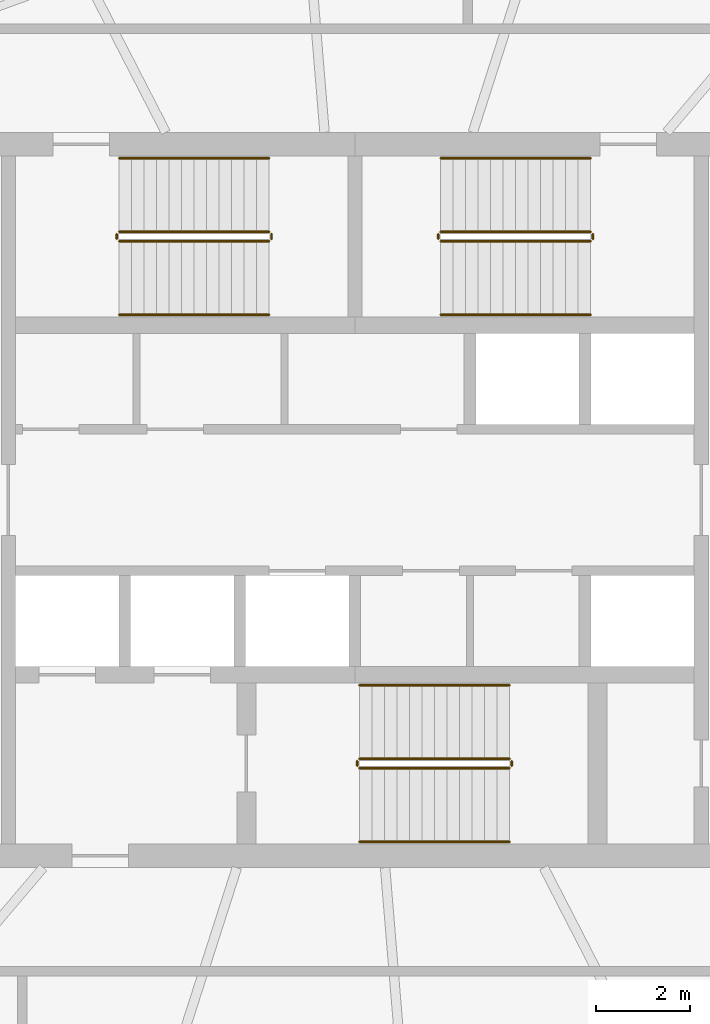
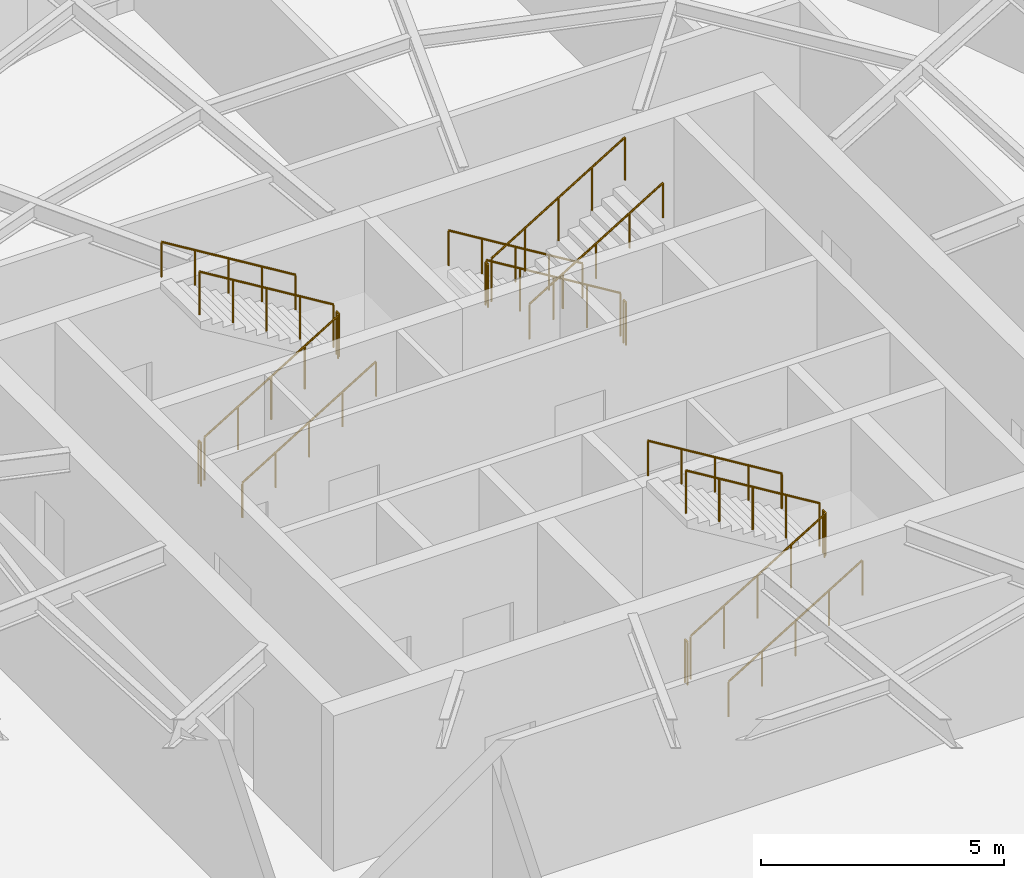
# One storey, part 6 of 6: 18 railings.
"""IFC4 building model written with IfcOpenShell, lengths in metres."""

from ifc_helpers import new_model, si_unit, direction, frame, origin, origin_2d, place, context, subcontext, project, spatial, circle, extrude, material, type_object, element, save


model = new_model("IFC4")

# Units and contexts
model_context = context("Model", 3, precision=1e-05, world=origin(), true_north=direction((0.0, 1.0)))
body_context = subcontext(model_context, "Body", "Model", "MODEL_VIEW")
ifc_project = project(units=[si_unit("LENGTHUNIT", "METRE"), si_unit("AREAUNIT", "SQUARE_METRE"), si_unit("VOLUMEUNIT", "CUBIC_METRE"), si_unit("PLANEANGLEUNIT", "RADIAN"), si_unit("MASSUNIT", "GRAM", prefix="KILO")], contexts=[model_context])

# Site, building, storey
site_placement = place(None, origin())
site = spatial("IfcSite", under=ifc_project, at=site_placement, CompositionType="ELEMENT")
building_placement = place(site_placement, origin())
building = spatial("IfcBuilding", under=site, at=building_placement, Name="Vermilion Reach Broadcast Tower", CompositionType="ELEMENT")
storey_placement = place(building_placement, frame((0.0, 0.0, 304.5)))
storey = spatial("IfcBuildingStorey", under=building, at=storey_placement, Name="L76 CROWN", CompositionType="ELEMENT", Elevation=304.5)

# Railings
ifc_material_1 = material(Name="Stainless steel", Category="steel")
railing_type_1 = type_object("IfcRailingType", Name="Stair guard 1100", PredefinedType="GUARDRAIL", material=ifc_material_1)
railing_1_placement = place(storey_placement, frame((-11.0, 5.489990234375, 0.16162109375)))
element("IfcRailing", 1, at=railing_1_placement, inside=storey, type_object=railing_type_1, Name="L76 CROWN ST1 stair guard 1", PredefinedType="GUARDRAIL", context=body_context, shape_type="SweptSolid", body=[
    extrude(circle(Radius=0.02392578125, at=origin_2d()), frame((0.0, 0.0, 1.076171875), z_axis=(0.853856579767, 0.0, 0.520508348818), x_axis=(0.0, 1.0, 0.0)), (0.0, 0.0, 1.0), 3.72412109375),
    extrude(circle(Radius=0.02099609375, at=origin_2d()), origin(), (0.0, 0.0, 1.0), 1.052001953125),
    extrude(circle(Radius=0.02099609375, at=origin_2d()), frame((0.794921875, 0.0, 0.484619140625)), (0.0, 0.0, 1.0), 1.052001953125),
    extrude(circle(Radius=0.02099609375, at=origin_2d()), frame((1.58984375, 0.0, 0.96923828125)), (0.0, 0.0, 1.0), 1.052001953125),
    extrude(circle(Radius=0.02099609375, at=origin_2d()), frame((2.385009765625, 0.0, 1.453857421875)), (0.0, 0.0, 1.0), 1.052001953125),
    extrude(circle(Radius=0.02099609375, at=origin_2d()), frame((3.179931640625, 0.0, 1.9384765625)), (0.0, 0.0, 1.0), 1.052001953125),
])
railing_2_placement = place(storey_placement, frame((-7.77001953125, 5.5400390625, 2.10009765625)))
element("IfcRailing", 2, at=railing_2_placement, inside=storey, type_object=railing_type_1, Name="L76 CROWN ST1 stair guard 2", PredefinedType="GUARDRAIL", context=body_context, shape_type="SweptSolid", body=[
    extrude(circle(Radius=0.02392578125, at=origin_2d()), frame((0.0, 0.0, 1.076171875), z_axis=(0.0, 1.0, 0.0), x_axis=(-1.0, 0.0, 0.0)), (0.0, 0.0, 1.0), 0.099853515625),
    extrude(circle(Radius=0.02099609375, at=origin_2d()), origin(), (0.0, 0.0, 1.0), 1.052001953125),
    extrude(circle(Radius=0.02099609375, at=origin_2d()), frame((0.0, 0.099853515625, 0.0)), (0.0, 0.0, 1.0), 1.052001953125),
])
railing_3_placement = place(storey_placement, frame((-7.820068359375, 5.68994140625, 2.261474609375)))
element("IfcRailing", 3, at=railing_3_placement, inside=storey, type_object=railing_type_1, Name="L76 CROWN ST1 stair guard 3", PredefinedType="GUARDRAIL", context=body_context, shape_type="SweptSolid", body=[
    extrude(circle(Radius=0.02392578125, at=origin_2d()), frame((0.0, 0.0, 1.076171875), z_axis=(-0.853856579767, 0.0, 0.520508348818), x_axis=(0.0, -1.0, 0.0)), (0.0, 0.0, 1.0), 3.72412109375),
    extrude(circle(Radius=0.02099609375, at=origin_2d()), origin(), (0.0, 0.0, 1.0), 1.052001953125),
    extrude(circle(Radius=0.02099609375, at=origin_2d()), frame((-0.794921875, 0.0, 0.484619140625)), (0.0, 0.0, 1.0), 1.052001953125),
    extrude(circle(Radius=0.02099609375, at=origin_2d()), frame((-1.58984375, 0.0, 0.96923828125)), (0.0, 0.0, 1.0), 1.052001953125),
    extrude(circle(Radius=0.02099609375, at=origin_2d()), frame((-2.385009765625, 0.0, 1.453857421875)), (0.0, 0.0, 1.0), 1.052001953125),
    extrude(circle(Radius=0.02099609375, at=origin_2d()), frame((-3.179931640625, 0.0, 1.9384765625)), (0.0, 0.0, 1.0), 1.052001953125),
])
railing_4_placement = place(storey_placement, frame((-11.050048828125, 5.5400390625, 0.0)))
element("IfcRailing", 4, at=railing_4_placement, inside=storey, type_object=railing_type_1, Name="L76 CROWN ST1 stair guard 4", PredefinedType="GUARDRAIL", context=body_context, shape_type="SweptSolid", body=[
    extrude(circle(Radius=0.02392578125, at=origin_2d()), frame((0.0, 0.0, 1.076171875), z_axis=(0.0, 1.0, 0.0), x_axis=(-1.0, 0.0, 0.0)), (0.0, 0.0, 1.0), 0.099853515625),
    extrude(circle(Radius=0.02099609375, at=origin_2d()), origin(), (0.0, 0.0, 1.0), 1.052001953125),
    extrude(circle(Radius=0.02099609375, at=origin_2d()), frame((0.0, 0.099853515625, 0.0)), (0.0, 0.0, 1.0), 1.052001953125),
])
railing_5_placement = place(storey_placement, frame((-1.0, 5.68994140625, 0.16162109375)))
element("IfcRailing", 5, at=railing_5_placement, inside=storey, type_object=railing_type_1, Name="L76 CROWN ST2 stair guard 1", PredefinedType="GUARDRAIL", context=body_context, shape_type="SweptSolid", body=[
    extrude(circle(Radius=0.02392578125, at=origin_2d()), frame((0.0, 0.0, 1.076171875), z_axis=(-0.853856579767, 0.0, 0.520508348818), x_axis=(0.0, -1.0, 0.0)), (0.0, 0.0, 1.0), 3.72412109375),
    extrude(circle(Radius=0.02099609375, at=origin_2d()), origin(), (0.0, 0.0, 1.0), 1.052001953125),
    extrude(circle(Radius=0.02099609375, at=origin_2d()), frame((-0.794921875, 0.0, 0.484619140625)), (0.0, 0.0, 1.0), 1.052001953125),
    extrude(circle(Radius=0.02099609375, at=origin_2d()), frame((-1.58984375, 0.0, 0.96923828125)), (0.0, 0.0, 1.0), 1.052001953125),
    extrude(circle(Radius=0.02099609375, at=origin_2d()), frame((-2.385009765625, 0.0, 1.453857421875)), (0.0, 0.0, 1.0), 1.052001953125),
    extrude(circle(Radius=0.02099609375, at=origin_2d()), frame((-3.179931640625, 0.0, 1.9384765625)), (0.0, 0.0, 1.0), 1.052001953125),
])
railing_6_placement = place(storey_placement, frame((-4.22998046875, 5.639892578125, 2.10009765625)))
element("IfcRailing", 6, at=railing_6_placement, inside=storey, type_object=railing_type_1, Name="L76 CROWN ST2 stair guard 2", PredefinedType="GUARDRAIL", context=body_context, shape_type="SweptSolid", body=[
    extrude(circle(Radius=0.02392578125, at=origin_2d()), frame((0.0, 0.0, 1.076171875), z_axis=(0.0, -1.0, 0.0), x_axis=(1.0, 0.0, 0.0)), (0.0, 0.0, 1.0), 0.099853515625),
    extrude(circle(Radius=0.02099609375, at=origin_2d()), origin(), (0.0, 0.0, 1.0), 1.052001953125),
    extrude(circle(Radius=0.02099609375, at=origin_2d()), frame((0.0, -0.099853515625, 0.0)), (0.0, 0.0, 1.0), 1.052001953125),
])
railing_7_placement = place(storey_placement, frame((-4.179931640625, 5.489990234375, 2.261474609375)))
element("IfcRailing", 7, at=railing_7_placement, inside=storey, type_object=railing_type_1, Name="L76 CROWN ST2 stair guard 3", PredefinedType="GUARDRAIL", context=body_context, shape_type="SweptSolid", body=[
    extrude(circle(Radius=0.02392578125, at=origin_2d()), frame((0.0, 0.0, 1.076171875), z_axis=(0.853856579767, 0.0, 0.520508348818), x_axis=(0.0, 1.0, 0.0)), (0.0, 0.0, 1.0), 3.72412109375),
    extrude(circle(Radius=0.02099609375, at=origin_2d()), origin(), (0.0, 0.0, 1.0), 1.052001953125),
    extrude(circle(Radius=0.02099609375, at=origin_2d()), frame((0.794921875, 0.0, 0.484619140625)), (0.0, 0.0, 1.0), 1.052001953125),
    extrude(circle(Radius=0.02099609375, at=origin_2d()), frame((1.58984375, 0.0, 0.96923828125)), (0.0, 0.0, 1.0), 1.052001953125),
    extrude(circle(Radius=0.02099609375, at=origin_2d()), frame((2.385009765625, 0.0, 1.453857421875)), (0.0, 0.0, 1.0), 1.052001953125),
    extrude(circle(Radius=0.02099609375, at=origin_2d()), frame((3.179931640625, 0.0, 1.9384765625)), (0.0, 0.0, 1.0), 1.052001953125),
])
railing_8_placement = place(storey_placement, frame((-0.949951171875, 5.639892578125, 0.0)))
element("IfcRailing", 8, at=railing_8_placement, inside=storey, type_object=railing_type_1, Name="L76 CROWN ST2 stair guard 4", PredefinedType="GUARDRAIL", context=body_context, shape_type="SweptSolid", body=[
    extrude(circle(Radius=0.02392578125, at=origin_2d()), frame((0.0, 0.0, 1.076171875), z_axis=(0.0, -1.0, 0.0), x_axis=(1.0, 0.0, 0.0)), (0.0, 0.0, 1.0), 0.099853515625),
    extrude(circle(Radius=0.02099609375, at=origin_2d()), origin(), (0.0, 0.0, 1.0), 1.052001953125),
    extrude(circle(Radius=0.02099609375, at=origin_2d()), frame((0.0, -0.099853515625, 0.0)), (0.0, 0.0, 1.0), 1.052001953125),
])
railing_9_placement = place(storey_placement, frame((-5.89990234375, -5.68994140625, 0.16162109375)))
element("IfcRailing", 9, at=railing_9_placement, inside=storey, type_object=railing_type_1, Name="L76 CROWN ST3 stair guard 1", PredefinedType="GUARDRAIL", context=body_context, shape_type="SweptSolid", body=[
    extrude(circle(Radius=0.02392578125, at=origin_2d()), frame((0.0, 0.0, 1.076171875), z_axis=(0.853856579767, 0.0, 0.520508348818), x_axis=(0.0, 1.0, 0.0)), (0.0, 0.0, 1.0), 3.72412109375),
    extrude(circle(Radius=0.02099609375, at=origin_2d()), origin(), (0.0, 0.0, 1.0), 1.052001953125),
    extrude(circle(Radius=0.02099609375, at=origin_2d()), frame((0.794921875, 0.0, 0.484619140625)), (0.0, 0.0, 1.0), 1.052001953125),
    extrude(circle(Radius=0.02099609375, at=origin_2d()), frame((1.58984375, 0.0, 0.96923828125)), (0.0, 0.0, 1.0), 1.052001953125),
    extrude(circle(Radius=0.02099609375, at=origin_2d()), frame((2.385009765625, 0.0, 1.453857421875)), (0.0, 0.0, 1.0), 1.052001953125),
    extrude(circle(Radius=0.02099609375, at=origin_2d()), frame((3.179931640625, 0.0, 1.9384765625)), (0.0, 0.0, 1.0), 1.052001953125),
])
railing_10_placement = place(storey_placement, frame((-2.669921875, -5.639892578125, 2.10009765625)))
element("IfcRailing", 10, at=railing_10_placement, inside=storey, type_object=railing_type_1, Name="L76 CROWN ST3 stair guard 2", PredefinedType="GUARDRAIL", context=body_context, shape_type="SweptSolid", body=[
    extrude(circle(Radius=0.02392578125, at=origin_2d()), frame((0.0, 0.0, 1.076171875), z_axis=(0.0, 1.0, 0.0), x_axis=(-1.0, 0.0, 0.0)), (0.0, 0.0, 1.0), 0.099853515625),
    extrude(circle(Radius=0.02099609375, at=origin_2d()), origin(), (0.0, 0.0, 1.0), 1.052001953125),
    extrude(circle(Radius=0.02099609375, at=origin_2d()), frame((0.0, 0.099853515625, 0.0)), (0.0, 0.0, 1.0), 1.052001953125),
])
railing_11_placement = place(storey_placement, frame((-2.719970703125, -5.489990234375, 2.261474609375)))
element("IfcRailing", 11, at=railing_11_placement, inside=storey, type_object=railing_type_1, Name="L76 CROWN ST3 stair guard 3", PredefinedType="GUARDRAIL", context=body_context, shape_type="SweptSolid", body=[
    extrude(circle(Radius=0.02392578125, at=origin_2d()), frame((0.0, 0.0, 1.076171875), z_axis=(-0.853856579767, 0.0, 0.520508348818), x_axis=(0.0, -1.0, 0.0)), (0.0, 0.0, 1.0), 3.72412109375),
    extrude(circle(Radius=0.02099609375, at=origin_2d()), origin(), (0.0, 0.0, 1.0), 1.052001953125),
    extrude(circle(Radius=0.02099609375, at=origin_2d()), frame((-0.794921875, 0.0, 0.484619140625)), (0.0, 0.0, 1.0), 1.052001953125),
    extrude(circle(Radius=0.02099609375, at=origin_2d()), frame((-1.58984375, 0.0, 0.96923828125)), (0.0, 0.0, 1.0), 1.052001953125),
    extrude(circle(Radius=0.02099609375, at=origin_2d()), frame((-2.385009765625, 0.0, 1.453857421875)), (0.0, 0.0, 1.0), 1.052001953125),
    extrude(circle(Radius=0.02099609375, at=origin_2d()), frame((-3.179931640625, 0.0, 1.9384765625)), (0.0, 0.0, 1.0), 1.052001953125),
])
railing_12_placement = place(storey_placement, frame((-5.949951171875, -5.639892578125, 0.0)))
element("IfcRailing", 12, at=railing_12_placement, inside=storey, type_object=railing_type_1, Name="L76 CROWN ST3 stair guard 4", PredefinedType="GUARDRAIL", context=body_context, shape_type="SweptSolid", body=[
    extrude(circle(Radius=0.02392578125, at=origin_2d()), frame((0.0, 0.0, 1.076171875), z_axis=(0.0, 1.0, 0.0), x_axis=(-1.0, 0.0, 0.0)), (0.0, 0.0, 1.0), 0.099853515625),
    extrude(circle(Radius=0.02099609375, at=origin_2d()), origin(), (0.0, 0.0, 1.0), 1.052001953125),
    extrude(circle(Radius=0.02099609375, at=origin_2d()), frame((0.0, 0.099853515625, 0.0)), (0.0, 0.0, 1.0), 1.052001953125),
])
ifc_material_2 = material(Name="Stainless steel", Category="steel")
railing_type_2 = type_object("IfcRailingType", Name="Stair handrail", PredefinedType="HANDRAIL", material=ifc_material_2)
railing_13_placement = place(storey_placement, frame((-11.0, 3.929931640625, 0.16162109375)))
element("IfcRailing", 13, at=railing_13_placement, inside=storey, type_object=railing_type_2, Name="L76 CROWN ST1 stair handrail 1", PredefinedType="HANDRAIL", context=body_context, shape_type="SweptSolid", body=[
    extrude(circle(Radius=0.02392578125, at=origin_2d()), frame((0.0, 0.0, 0.8759765625), z_axis=(0.853856579767, 0.0, 0.520508348818), x_axis=(0.0, 1.0, 0.0)), (0.0, 0.0, 1.0), 3.72412109375),
    extrude(circle(Radius=0.02099609375, at=origin_2d()), origin(), (0.0, 0.0, 1.0), 0.851806640625),
    extrude(circle(Radius=0.02099609375, at=origin_2d()), frame((0.794921875, 0.0, 0.484619140625)), (0.0, 0.0, 1.0), 0.851806640625),
    extrude(circle(Radius=0.02099609375, at=origin_2d()), frame((1.58984375, 0.0, 0.96923828125)), (0.0, 0.0, 1.0), 0.851806640625),
    extrude(circle(Radius=0.02099609375, at=origin_2d()), frame((2.385009765625, 0.0, 1.453857421875)), (0.0, 0.0, 1.0), 0.851806640625),
    extrude(circle(Radius=0.02099609375, at=origin_2d()), frame((3.179931640625, 0.0, 1.9384765625)), (0.0, 0.0, 1.0), 0.851806640625),
])
for number, where, name in (
    (14, (-7.820068359375, 7.25, 2.261474609375), "L76 CROWN ST1 stair handrail 2"),
    (15, (-1.0, 7.25, 0.16162109375), "L76 CROWN ST2 stair handrail 1"),
):
    element("IfcRailing", number, at=place(storey_placement, frame(where)), inside=storey, type_object=railing_type_2, Name=name, PredefinedType="HANDRAIL", context=body_context, shape_type="SweptSolid", body=[
        extrude(circle(Radius=0.02392578125, at=origin_2d()), frame((0.0, 0.0, 0.8759765625), z_axis=(-0.853856579767, 0.0, 0.520508348818), x_axis=(0.0, -1.0, 0.0)), (0.0, 0.0, 1.0), 3.72412109375),
        extrude(circle(Radius=0.02099609375, at=origin_2d()), origin(), (0.0, 0.0, 1.0), 0.851806640625),
        extrude(circle(Radius=0.02099609375, at=origin_2d()), frame((-0.794921875, 0.0, 0.484619140625)), (0.0, 0.0, 1.0), 0.851806640625),
        extrude(circle(Radius=0.02099609375, at=origin_2d()), frame((-1.58984375, 0.0, 0.96923828125)), (0.0, 0.0, 1.0), 0.851806640625),
        extrude(circle(Radius=0.02099609375, at=origin_2d()), frame((-2.385009765625, 0.0, 1.453857421875)), (0.0, 0.0, 1.0), 0.851806640625),
        extrude(circle(Radius=0.02099609375, at=origin_2d()), frame((-3.179931640625, 0.0, 1.9384765625)), (0.0, 0.0, 1.0), 0.851806640625),
    ])
for number, where, name in (
    (16, (-4.179931640625, 3.929931640625, 2.261474609375), "L76 CROWN ST2 stair handrail 2"),
    (17, (-5.89990234375, -7.25, 0.16162109375), "L76 CROWN ST3 stair handrail 1"),
):
    element("IfcRailing", number, at=place(storey_placement, frame(where)), inside=storey, type_object=railing_type_2, Name=name, PredefinedType="HANDRAIL", context=body_context, shape_type="SweptSolid", body=[
        extrude(circle(Radius=0.02392578125, at=origin_2d()), frame((0.0, 0.0, 0.8759765625), z_axis=(0.853856579767, 0.0, 0.520508348818), x_axis=(0.0, 1.0, 0.0)), (0.0, 0.0, 1.0), 3.72412109375),
        extrude(circle(Radius=0.02099609375, at=origin_2d()), origin(), (0.0, 0.0, 1.0), 0.851806640625),
        extrude(circle(Radius=0.02099609375, at=origin_2d()), frame((0.794921875, 0.0, 0.484619140625)), (0.0, 0.0, 1.0), 0.851806640625),
        extrude(circle(Radius=0.02099609375, at=origin_2d()), frame((1.58984375, 0.0, 0.96923828125)), (0.0, 0.0, 1.0), 0.851806640625),
        extrude(circle(Radius=0.02099609375, at=origin_2d()), frame((2.385009765625, 0.0, 1.453857421875)), (0.0, 0.0, 1.0), 0.851806640625),
        extrude(circle(Radius=0.02099609375, at=origin_2d()), frame((3.179931640625, 0.0, 1.9384765625)), (0.0, 0.0, 1.0), 0.851806640625),
    ])
railing_14_placement = place(storey_placement, frame((-2.719970703125, -3.929931640625, 2.261474609375)))
element("IfcRailing", 18, at=railing_14_placement, inside=storey, type_object=railing_type_2, Name="L76 CROWN ST3 stair handrail 2", PredefinedType="HANDRAIL", context=body_context, shape_type="SweptSolid", body=[
    extrude(circle(Radius=0.02392578125, at=origin_2d()), frame((0.0, 0.0, 0.8759765625), z_axis=(-0.853856579767, 0.0, 0.520508348818), x_axis=(0.0, -1.0, 0.0)), (0.0, 0.0, 1.0), 3.72412109375),
    extrude(circle(Radius=0.02099609375, at=origin_2d()), origin(), (0.0, 0.0, 1.0), 0.851806640625),
    extrude(circle(Radius=0.02099609375, at=origin_2d()), frame((-0.794921875, 0.0, 0.484619140625)), (0.0, 0.0, 1.0), 0.851806640625),
    extrude(circle(Radius=0.02099609375, at=origin_2d()), frame((-1.58984375, 0.0, 0.96923828125)), (0.0, 0.0, 1.0), 0.851806640625),
    extrude(circle(Radius=0.02099609375, at=origin_2d()), frame((-2.385009765625, 0.0, 1.453857421875)), (0.0, 0.0, 1.0), 0.851806640625),
    extrude(circle(Radius=0.02099609375, at=origin_2d()), frame((-3.179931640625, 0.0, 1.9384765625)), (0.0, 0.0, 1.0), 0.851806640625),
])

save(model, "model.ifc")
